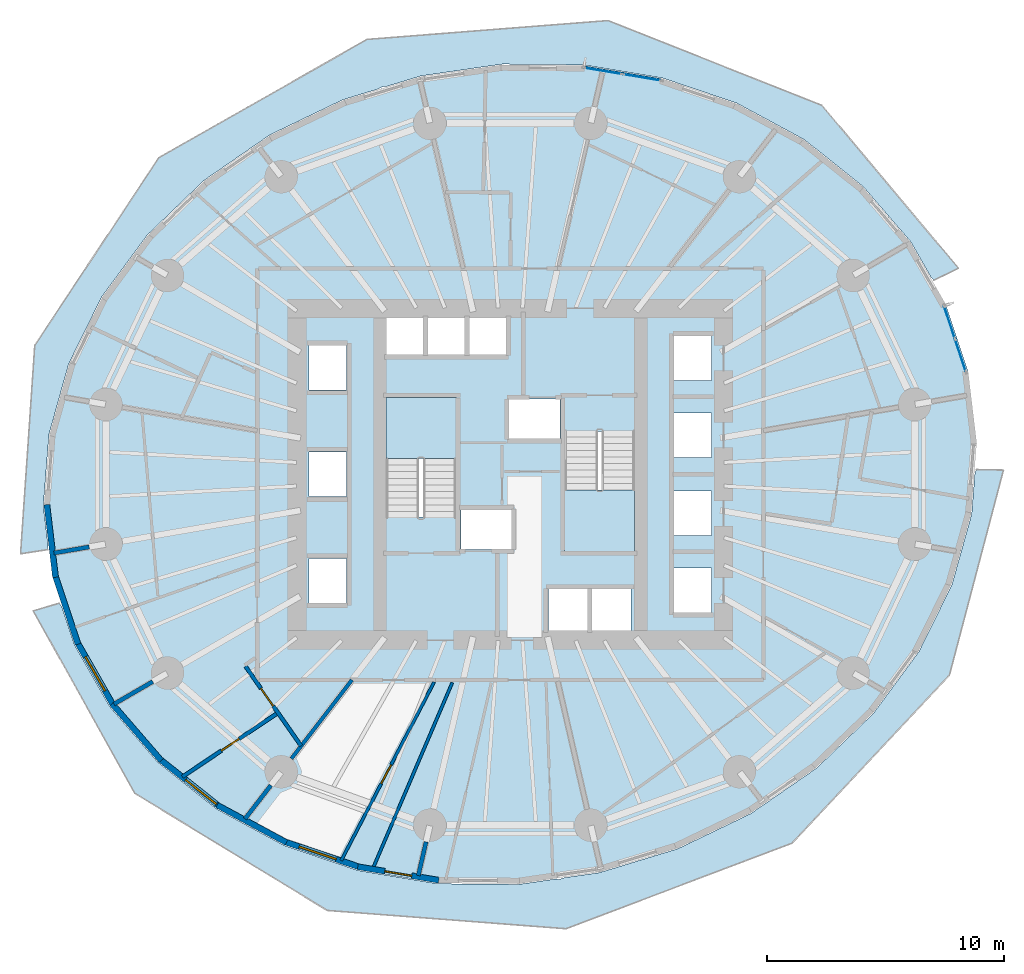
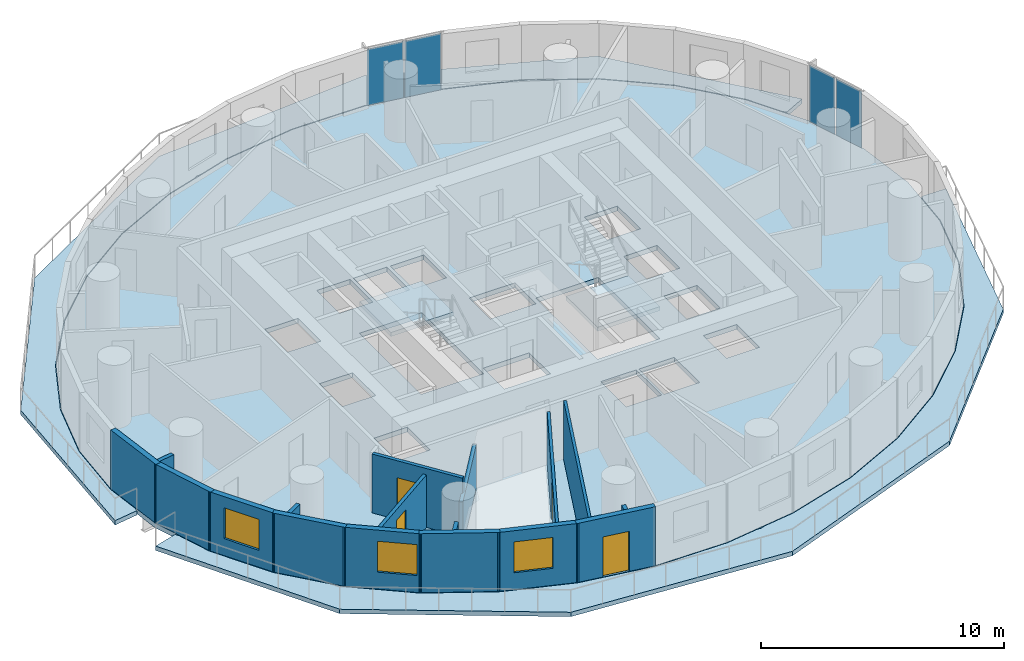
# One storey, part 4 of 13: 17 walls, 5 slabs, 4 doors, 4 plates, 3 windows, 7 openings, 4 elements without a shape of their own.
"""IFC4 building model written with IfcOpenShell, lengths in metres."""

import ifcopenshell
import ifcopenshell.guid

model = None  # the IFC model being written
_history = None  # IfcOwnerHistory: only IFC2X3 demands one
_inside = {}  # id of a spatial element -> (the spatial element, [elements in it])
_under = {}  # id of a project, library or spatial element -> (it, [spatial elements below it])
_declared = {}  # id of a project -> (the project, [libraries it declares])
_typed = {}  # id of a type object -> (the type object, [elements of that type])
_made_of = {}  # id of a material, layer set ... -> (it, [elements and type objects made of it])


def new_model(schema):
    """Start an empty IFC model of exactly this schema.

    Asked for "IFC4X3", IfcOpenShell would pick the latest addendum, in which some entities
    have other attributes; the version numbers below select the first issue.
    IFC2X3 requires an IfcOwnerHistory on every rooted entity: one is made here for all.
    """
    global model, _history
    if schema == "IFC4X3":
        model = ifcopenshell.file(schema_version=(4, 3, 0, 0))
    else:
        model = ifcopenshell.file(schema=schema)
    _inside.clear()
    _under.clear()
    _declared.clear()
    _typed.clear()
    _made_of.clear()
    _history = None
    if model.schema == "IFC2X3":
        org = make("IfcOrganization", Name="unknown")
        user = make(
            "IfcPersonAndOrganization",
            ThePerson=make("IfcPerson", FamilyName="unknown"),
            TheOrganization=org,
        )
        app = make(
            "IfcApplication",
            ApplicationDeveloper=org,
            Version="unknown",
            ApplicationFullName="unknown",
            ApplicationIdentifier="unknown",
        )
        _history = make(
            "IfcOwnerHistory",
            OwningUser=user,
            OwningApplication=app,
            ChangeAction="ADDED",
            CreationDate=0,
        )
    return model


def make(cls, **values):
    """One entity of the class cls with the attributes given. An attribute that is None is left unset."""
    return model.create_entity(
        cls, **{name: value for name, value in values.items() if value is not None}
    )


def rooted(cls, **values):
    """An entity with a GlobalId (a new one), such as an element, a storey or a relation."""
    return make(cls, GlobalId=ifcopenshell.guid.new(), OwnerHistory=_history, **values)


def si_unit(unit_type, name, prefix=None):
    """IfcSIUnit, for example si_unit("LENGTHUNIT", "METRE", prefix="MILLI")."""
    return make("IfcSIUnit", UnitType=unit_type, Prefix=prefix, Name=name)


def assignment(units):
    """IfcUnitAssignment: the units of a project."""
    return None if units is None else make("IfcUnitAssignment", Units=units)


def point(xyz):
    """IfcCartesianPoint."""
    return None if xyz is None else make("IfcCartesianPoint", Coordinates=xyz)


def direction(xyz):
    """IfcDirection."""
    return None if xyz is None else make("IfcDirection", DirectionRatios=xyz)


def frame(location, z_axis=None, x_axis=None):
    """IfcAxis2Placement3D, a coordinate frame: its origin and axes. An axis left out is left unset."""
    return make(
        "IfcAxis2Placement3D",
        Location=point(location),
        Axis=direction(z_axis),
        RefDirection=direction(x_axis),
    )


def frame_2d(location, x_axis=None):
    """IfcAxis2Placement2D, a coordinate frame in the plane: its origin and x axis."""
    return make(
        "IfcAxis2Placement2D", Location=point(location), RefDirection=direction(x_axis)
    )


def origin():
    """The frame at (0, 0, 0) with its axes left unset."""
    return frame((0.0, 0.0, 0.0))


def origin_2d():
    """The frame at (0, 0) in the plane with its x axis left unset."""
    return frame_2d((0.0, 0.0))


def place(relative_to, where):
    """IfcLocalPlacement: puts the frame where relative to a parent placement (None: the world)."""
    return make(
        "IfcLocalPlacement", PlacementRelTo=relative_to, RelativePlacement=where
    )


def context(
    kind, dimensions, precision=None, world=None, true_north=None, identifier=None
):
    """IfcGeometricRepresentationContext, for example the 3D "Model" context."""
    return make(
        "IfcGeometricRepresentationContext",
        ContextIdentifier=identifier,
        ContextType=kind,
        CoordinateSpaceDimension=dimensions,
        Precision=precision,
        WorldCoordinateSystem=world,
        TrueNorth=true_north,
    )


def subcontext(parent, identifier, kind, view, scale=None):
    """IfcGeometricRepresentationSubContext, for example "Body" below "Model"."""
    return make(
        "IfcGeometricRepresentationSubContext",
        ContextIdentifier=identifier,
        ContextType=kind,
        ParentContext=parent,
        TargetScale=scale,
        TargetView=view,
    )


def project(units=None, contexts=None):
    """IfcProject with its units and contexts."""
    return rooted(
        "IfcProject",
        Name="project",
        RepresentationContexts=contexts,
        UnitsInContext=assignment(units),
    )


def spatial(cls, under=None, at=None, **own):
    """A site, building, storey or space (cls), placed at a placement, below another one or the project."""
    s = rooted(cls, ObjectPlacement=at, **own)
    if under is not None:
        _under.setdefault(under.id(), (under, []))[1].append(s)
    return s


def polyline(points):
    """IfcPolyline through the points."""
    return make("IfcPolyline", Points=[point(p) for p in points])


def profile(cls, at=None, kind="AREA", **sizes):
    """A parametric profile (cls). Its sizes go by their IFC names, for example OverallWidth=200.0."""
    return make(cls, ProfileType=kind, Position=at, **sizes)


def rectangle(**sizes):
    """IfcRectangleProfileDef."""
    return profile("IfcRectangleProfileDef", **sizes)


def outline(outer, holes=None, kind="AREA"):
    """IfcArbitraryClosedProfileDef: a profile drawn as a closed curve; with holes, ...WithVoids."""
    if holes is None:
        return make("IfcArbitraryClosedProfileDef", ProfileType=kind, OuterCurve=outer)
    return make(
        "IfcArbitraryProfileDefWithVoids",
        ProfileType=kind,
        OuterCurve=outer,
        InnerCurves=holes,
    )


def extrude(swept, where, along, depth):
    """IfcExtrudedAreaSolid: the profile swept, set in the frame where, extruded along a direction by depth."""
    return make(
        "IfcExtrudedAreaSolid",
        SweptArea=swept,
        Position=where,
        ExtrudedDirection=direction(along),
        Depth=depth,
    )


def shape(context_of_items, identifier, shape_type, items):
    """IfcShapeRepresentation: the items that make up one representation, for example the "Body"."""
    return make(
        "IfcShapeRepresentation",
        ContextOfItems=context_of_items,
        RepresentationIdentifier=identifier,
        RepresentationType=shape_type,
        Items=items,
    )


def material(Name=None, Category=None):
    """IfcMaterial."""
    return make("IfcMaterial", Name=Name, Category=Category)


def layer(
    of_material, thickness, ventilated=None, Name=None, Category=None, Priority=None
):
    """IfcMaterialLayer: one layer of a wall or slab, of a material (None: an air gap)."""
    return make(
        "IfcMaterialLayer",
        Material=of_material,
        LayerThickness=thickness,
        IsVentilated=ventilated,
        Name=Name,
        Category=Category,
        Priority=Priority,
    )


def layer_set(layers, Name=None):
    """IfcMaterialLayerSet."""
    return make("IfcMaterialLayerSet", MaterialLayers=layers, LayerSetName=Name)


def made_of(thing, what):
    """Note that an element or type object is made of a material, layer set ...; save() writes the relation."""
    if what is not None:
        _made_of.setdefault(what.id(), (what, []))[1].append(thing)
    return thing


def type_object(cls, material=None, **own):
    """A type object (cls), such as IfcWallType, which elements share."""
    return made_of(rooted(cls, **own), material)


def element(
    cls,
    number,
    at=None,
    inside=None,
    cuts=None,
    type_object=None,
    material=None,
    context=None,
    identifier="Body",
    shape_type=None,
    held_by="IfcProductDefinitionShape",
    body=None,
    shapes=None,
    **own,
):
    """One element of the class cls, such as IfcWall. Its Tag is "e" and its number.

    at: its placement. inside: the storey or other place that contains it. cuts: it is an
    opening in that element (IfcRelVoidsElement). A single representation is given by context,
    identifier, shape_type and body (its items); several are given by shapes. held_by: the class
    of the entity that holds the representations. save() writes the other relations.
    """
    e = rooted(cls, Tag="e%d" % number, ObjectPlacement=at, **own)
    if body is not None:
        shapes = [shape(context, identifier, shape_type, body)]
    if shapes is not None:
        e.Representation = make(held_by, Representations=shapes)
    if inside is not None:
        _inside.setdefault(inside.id(), (inside, []))[1].append(e)
    if cuts is not None:
        rooted(
            "IfcRelVoidsElement", RelatingBuildingElement=cuts, RelatedOpeningElement=e
        )
    if type_object is not None:
        _typed.setdefault(type_object.id(), (type_object, []))[1].append(e)
    return made_of(e, material)


def fill(opening, filler):
    """IfcRelFillsElement: the door or window that sits in an opening."""
    return rooted(
        "IfcRelFillsElement",
        RelatingOpeningElement=opening,
        RelatedBuildingElement=filler,
    )


def aggregate(whole, parts):
    """IfcRelAggregates: a whole, such as a stair, and the parts it consists of."""
    return rooted("IfcRelAggregates", RelatingObject=whole, RelatedObjects=parts)


def save(model, path):
    """Write the relations noted so far, then the file.

    IfcRelAggregates (storeys below a building ...), IfcRelContainedInSpatialStructure (elements
    in a storey), IfcRelDefinesByType, IfcRelAssociatesMaterial and IfcRelDeclares: one each for
    every whole, place, type object, material and project.
    """
    for whole, parts in _under.values():
        aggregate(whole, parts)
    for where, things in _inside.values():
        rooted(
            "IfcRelContainedInSpatialStructure",
            RelatedElements=things,
            RelatingStructure=where,
        )
    for kind, things in _typed.values():
        rooted("IfcRelDefinesByType", RelatedObjects=things, RelatingType=kind)
    for what, things in _made_of.values():
        rooted("IfcRelAssociatesMaterial", RelatedObjects=things, RelatingMaterial=what)
    for by, libraries in _declared.values():
        rooted("IfcRelDeclares", RelatingContext=by, RelatedDefinitions=libraries)
    model.write(path)


model = new_model("IFC4")

# Units and contexts
model_context = context("Model", 3, precision=1e-05, world=origin(), true_north=direction((0.0, 1.0)))
body_context = subcontext(model_context, "Body", "Model", "MODEL_VIEW")
ifc_project = project(units=[si_unit("LENGTHUNIT", "METRE"), si_unit("AREAUNIT", "SQUARE_METRE"), si_unit("VOLUMEUNIT", "CUBIC_METRE"), si_unit("PLANEANGLEUNIT", "RADIAN"), si_unit("MASSUNIT", "GRAM", prefix="KILO")], contexts=[model_context])

# Site, building, storey
site_placement = place(None, origin())
site = spatial("IfcSite", under=ifc_project, at=site_placement, CompositionType="ELEMENT")
building_placement = place(site_placement, origin())
building = spatial("IfcBuilding", under=site, at=building_placement, Name="Veldorim Arch Residences", CompositionType="ELEMENT")
storey_placement = place(building_placement, frame((0.0, 0.0, 53.60009765625)))
storey = spatial("IfcBuildingStorey", under=building, at=storey_placement, Name="L15", CompositionType="ELEMENT", Elevation=53.60009765625)

# Slabs
ifc_material_1 = material(Name="Concrete C40/50", Category="concrete")
ifc_layer_1 = layer(ifc_material_1, 0.219970703125, Name="Planted Crescent Cantilever Balcony Slab 220")
ifc_layer_set_1 = layer_set([ifc_layer_1], Name="Concrete C40/50")
slab_type_1 = type_object("IfcSlabType", Name="Planted Crescent Cantilever Balcony Slab 220", PredefinedType="FLOOR", material=ifc_layer_set_1)
slab_1_placement = place(storey_placement, frame((0.0, 0.0, -0.22021484375)))
element("IfcSlab", 1, at=slab_1_placement, inside=storey, type_object=slab_type_1, Name="L15 planted crescent balcony slab A", PredefinedType="FLOOR", context=body_context, shape_type="SweptSolid", body=[
    extrude(outline(polyline([(49.7431640625, 32.329833984375), (48.89501953125, 33.814208984375), (46.875732421875, 36.151611328125), (44.404296875, 38.119384765625), (41.556396484375, 39.657958984375), (38.418212890625, 40.720703125), (35.085205078125, 41.275634765625), (31.65869140625, 41.305908203125), (28.242431640625, 40.810302734375), (26.789794921875, 40.36767578125), (26.593017578125, 40.349853515625), (26.42041015625, 40.2548828125), (24.9404296875, 39.80419921875), (21.852783203125, 38.31787109375), (19.072998046875, 36.396728515625), (16.686279296875, 34.098876953125), (14.764404296875, 31.494140625), (13.3662109375, 28.661376953125), (12.5341796875, 25.686767578125), (12.293701171875, 22.66064453125), (12.4921875, 21.0087890625), (12.46826171875, 20.820068359375), (11.33154296875, 20.645263671875), (11.930908203125, 29.437744140625), (17.17138671875, 37.364013671875), (25.95947265625, 42.35205078125), (36.12548828125, 43.146728515625), (45.149169921875, 39.56640625), (50.9052734375, 32.700927734375), (49.875, 32.190185546875), (49.7431640625, 32.329833984375)])), origin(), (0.0, 0.0, 1.0), 0.22021484375),
])
slab_2_placement = place(storey_placement, frame((0.0, 0.0, -0.22021484375)))
element("IfcSlab", 2, at=slab_2_placement, inside=storey, type_object=slab_type_1, Name="L15 planted crescent balcony slab B", PredefinedType="FLOOR", context=body_context, shape_type="SweptSolid", body=[
    extrude(outline(polyline([(13.0751953125, 18.400390625), (13.59912109375, 16.8212890625), (15.10498046875, 14.185791015625), (17.124267578125, 11.848388671875), (19.595703125, 9.880615234375), (22.443603515625, 8.342041015625), (25.581787109375, 7.279296875), (28.914794921875, 6.724365234375), (32.34130859375, 6.694091796875), (33.872314453125, 6.916259765625), (34.06884765625, 6.90380859375), (34.254638671875, 6.9716796875), (35.757568359375, 7.189697265625), (39.0595703125, 8.19580078125), (42.147216796875, 9.68212890625), (44.927001953125, 11.603271484375), (47.313720703125, 13.901123046875), (49.235595703125, 16.505859375), (50.6337890625, 19.338623046875), (51.4658203125, 22.313232421875), (51.601318359375, 24.017578125), (51.660888671875, 24.199951171875), (52.810791015625, 24.176513671875), (50.525390625, 15.513671875), (43.88525390625, 8.43212890625), (34.348388671875, 4.822509765625), (24.272705078125, 5.59423828125), (16.15625, 10.53466796875), (11.8701171875, 18.2353515625), (12.97314453125, 18.56103515625), (13.0751953125, 18.400390625)])), origin(), (0.0, 0.0, 1.0), 0.22021484375),
])

# Stair, slab
ifc_material_2 = material(Name="Concrete C40/50", Category="concrete")
stair_type = type_object("IfcStairType", Name="Reinforced Concrete Dogleg Exit Staircase", PredefinedType="HALF_TURN_STAIR", material=ifc_material_2)
stair_1_placement = place(storey_placement, origin())
stair_1 = element("IfcStair", 3, at=stair_1_placement, inside=storey, type_object=stair_type, Name="L15 Exit Staircase ST-1", PredefinedType="HALF_TURN_STAIR")
ifc_material_3 = material(Name="Concrete C40/50", Category="concrete")
ifc_layer_2 = layer(ifc_material_3, 0.199951171875, Name="Reinforced Concrete Stair Landing 200")
ifc_layer_set_2 = layer_set([ifc_layer_2], Name="Concrete C40/50")
slab_type_2 = type_object("IfcSlabType", Name="Reinforced Concrete Stair Landing 200", PredefinedType="LANDING", material=ifc_layer_set_2)
slab_3_placement = place(storey_placement, frame((0.0, 0.0, 1.39990234375)))
slab_3 = element("IfcSlab", 4, at=slab_3_placement, type_object=slab_type_2, Name="ST-1 landing 1", PredefinedType="LANDING", context=body_context, shape_type="SweptSolid", body=[
    extrude(outline(polyline([(29.7099609375, 24.669921875), (29.7099609375, 27.25), (26.75, 27.25), (26.75, 24.669921875), (29.7099609375, 24.669921875)])), origin(), (0.0, 0.0, 1.0), 0.199951171875),
])
aggregate(stair_1, [slab_3])

stair_2_placement = place(storey_placement, origin())
stair_2 = element("IfcStair", 5, at=stair_2_placement, inside=storey, type_object=stair_type, Name="L15 Exit Staircase ST-2", PredefinedType="HALF_TURN_STAIR")
slab_4_placement = place(storey_placement, frame((0.0, 0.0, 1.39990234375)))
slab_4 = element("IfcSlab", 6, at=slab_4_placement, type_object=slab_type_2, Name="ST-2 landing 1", PredefinedType="LANDING", context=body_context, shape_type="SweptSolid", body=[
    extrude(outline(polyline([(34.2900390625, 23.330078125), (34.2900390625, 20.75), (37.25, 20.75), (37.25, 23.330078125), (34.2900390625, 23.330078125)])), origin(), (0.0, 0.0, 1.0), 0.199951171875),
])
aggregate(stair_2, [slab_4])

# Slab
ifc_material_4 = material(Name="Concrete C40/50", Category="concrete")
ifc_layer_3 = layer(ifc_material_4, 0.239990234375, Name="Typical Residential Floor Slab 240")
ifc_layer_set_3 = layer_set([ifc_layer_3], Name="Concrete C40/50")
slab_type_3 = type_object("IfcSlabType", Name="Typical Residential Floor Slab 240", PredefinedType="FLOOR", material=ifc_layer_set_3)
slab_5_placement = place(storey_placement, frame((0.0, 0.0, -0.239990234375)))
element("IfcSlab", 7, at=slab_5_placement, inside=storey, type_object=slab_type_3, Name="L15 tower structural floor slab", PredefinedType="FLOOR", context=body_context, shape_type="SweptSolid", body=[
    extrude(outline(polyline([(51.3232421875, 28.319091796875), (50.378173828125, 31.16845703125), (48.87451171875, 33.7998046875), (46.8583984375, 36.133544921875), (44.390625, 38.098388671875), (41.54638671875, 39.635009765625), (38.412109375, 40.696533203125), (35.0830078125, 41.250732421875), (31.660400390625, 41.28076171875), (28.247802734375, 40.785888671875), (24.949462890625, 39.78076171875), (21.865234375, 38.296142578125), (19.089111328125, 36.377197265625), (16.705078125, 34.082275390625), (14.785888671875, 31.48095703125), (13.3896484375, 28.65234375), (12.558837890625, 25.682373046875), (12.31884765625, 22.6611328125), (12.6767578125, 19.680908203125), (13.621826171875, 16.83154296875), (15.12548828125, 14.2001953125), (17.1416015625, 11.866455078125), (19.609375, 9.901611328125), (22.45361328125, 8.364990234375), (25.587890625, 7.303466796875), (28.9169921875, 6.749267578125), (32.339599609375, 6.71923828125), (35.752197265625, 7.214111328125), (39.050537109375, 8.21923828125), (42.134765625, 9.703857421875), (44.910888671875, 11.622802734375), (47.294921875, 13.917724609375), (49.214111328125, 16.51904296875), (50.6103515625, 19.34765625), (51.441162109375, 22.317626953125), (51.68115234375, 25.3388671875), (51.3232421875, 28.319091796875)]), holes=[polyline([(23.510009765625, 20.43994140625), (25.090087890625, 20.43994140625), (25.090087890625, 18.56005859375), (23.510009765625, 18.56005859375), (23.510009765625, 20.43994140625)]), polyline([(29.909912109375, 22.544921875), (32.090087890625, 22.544921875), (32.090087890625, 20.81494140625), (29.909912109375, 20.81494140625), (29.909912109375, 22.544921875)]), polyline([(23.510009765625, 24.93994140625), (25.090087890625, 24.93994140625), (25.090087890625, 23.06005859375), (23.510009765625, 23.06005859375), (23.510009765625, 24.93994140625)]), polyline([(26.75, 27.25), (29.7099609375, 27.25), (29.7099609375, 22.195068359375), (26.75, 22.195068359375), (26.75, 27.25)]), polyline([(23.510009765625, 29.43994140625), (25.090087890625, 29.43994140625), (25.090087890625, 27.56005859375), (23.510009765625, 27.56005859375), (23.510009765625, 29.43994140625)]), polyline([(26.760009765625, 30.7900390625), (28.340087890625, 30.7900390625), (28.340087890625, 28.909912109375), (26.760009765625, 28.909912109375), (26.760009765625, 30.7900390625)]), polyline([(28.510009765625, 30.7900390625), (30.090087890625, 30.7900390625), (30.090087890625, 28.909912109375), (28.510009765625, 28.909912109375), (28.510009765625, 30.7900390625)]), polyline([(30.260009765625, 30.7900390625), (31.840087890625, 30.7900390625), (31.840087890625, 28.909912109375), (30.260009765625, 28.909912109375), (30.260009765625, 30.7900390625)]), polyline([(33.610107421875, 19.2900390625), (35.2900390625, 19.2900390625), (35.2900390625, 17.2099609375), (33.610107421875, 17.2099609375), (33.610107421875, 19.2900390625)]), polyline([(35.409912109375, 19.2900390625), (37.090087890625, 19.2900390625), (37.090087890625, 17.2099609375), (35.409912109375, 17.2099609375), (35.409912109375, 19.2900390625)]), polyline([(38.909912109375, 20.0400390625), (40.489990234375, 20.0400390625), (40.489990234375, 18.159912109375), (38.909912109375, 18.159912109375), (38.909912109375, 20.0400390625)]), polyline([(38.909912109375, 23.2900390625), (40.489990234375, 23.2900390625), (40.489990234375, 21.409912109375), (38.909912109375, 21.409912109375), (38.909912109375, 23.2900390625)]), polyline([(34.2900390625, 25.804931640625), (37.25, 25.804931640625), (37.25, 20.75), (34.2900390625, 20.75), (34.2900390625, 25.804931640625)]), polyline([(38.909912109375, 26.590087890625), (40.489990234375, 26.590087890625), (40.489990234375, 24.7099609375), (38.909912109375, 24.7099609375), (38.909912109375, 26.590087890625)]), polyline([(31.909912109375, 27.18505859375), (34.090087890625, 27.18505859375), (34.090087890625, 25.455078125), (31.909912109375, 25.455078125), (31.909912109375, 27.18505859375)]), polyline([(38.909912109375, 29.840087890625), (40.489990234375, 29.840087890625), (40.489990234375, 27.9599609375), (38.909912109375, 27.9599609375), (38.909912109375, 29.840087890625)])]), origin(), (0.0, 0.0, 1.0), 0.239990234375),
])

# Curtain wall, plates
ifc_material_5 = material(Name="Aluminium", Category="aluminium")
curtain_wall_type = type_object("IfcCurtainWallType", Name="Zone 1 Acoustic Low-E Unitised Curtain Wall", PredefinedType="NOTDEFINED", material=ifc_material_5)
curtain_wall_1_placement = place(storey_placement, origin())
curtain_wall_1 = element("IfcCurtainWall", 8, at=curtain_wall_1_placement, inside=storey, type_object=curtain_wall_type, Name="L15 unitised curtain wall bay 01", PredefinedType="NOTDEFINED")
ifc_material_6 = material(Name="Laminated Low-E Glass", Category="glass")
ifc_layer_4 = layer(ifc_material_6, 0.02587890625, Name="Zone 1 Acoustic Low-E Unitised Curtain Wall Glazing Panel 26")
ifc_layer_set_4 = layer_set([ifc_layer_4], Name="Laminated Low-E Glass")
plate_type = type_object("IfcPlateType", Name="Zone 1 Acoustic Low-E Unitised Curtain Wall Glazing Panel 26", PredefinedType="CURTAIN_PANEL", material=ifc_layer_set_4)
plate_1_placement = place(storey_placement, frame((50.5341796875, 30.412353515625, 0.06494140625), z_axis=(0.0, 0.0, 1.0), x_axis=(0.314838287583, -0.949145327477, 0.0)))
plate_1 = element("IfcPlate", 9, at=plate_1_placement, type_object=plate_type, Name="CW-Z1 panel 1.1", PredefinedType="CURTAIN_PANEL", context=body_context, shape_type="SweptSolid", body=[
    extrude(rectangle(XDim=1.4033203125, YDim=0.02587890625, at=origin_2d()), origin(), (0.0, 0.0, 1.0), 2.830078125),
])
plate_2_placement = place(storey_placement, frame((50.996337890625, 29.0185546875, 0.06494140625), z_axis=(0.0, 0.0, 1.0), x_axis=(0.314838287583, -0.949145327477, 0.0)))
plate_2 = element("IfcPlate", 10, at=plate_2_placement, type_object=plate_type, Name="CW-Z1 panel 2.1", PredefinedType="CURTAIN_PANEL", context=body_context, shape_type="SweptSolid", body=[
    extrude(rectangle(XDim=1.4033203125, YDim=0.02587890625, at=origin_2d()), origin(), (0.0, 0.0, 1.0), 2.830078125),
])
aggregate(curtain_wall_1, [plate_1, plate_2])

curtain_wall_2_placement = place(storey_placement, origin())
curtain_wall_2 = element("IfcCurtainWall", 11, at=curtain_wall_2_placement, inside=storey, type_object=curtain_wall_type, Name="L15 unitised curtain wall bay 07", PredefinedType="NOTDEFINED")
plate_3_placement = place(storey_placement, frame((35.91650390625, 41.020751953125, 0.06494140625), z_axis=(0.0, 0.0, 1.0), x_axis=(0.98642513806, -0.164211592169, 0.0)))
plate_3 = element("IfcPlate", 12, at=plate_3_placement, type_object=plate_type, Name="CW-Z1 panel 1.1", PredefinedType="CURTAIN_PANEL", context=body_context, shape_type="SweptSolid", body=[
    extrude(rectangle(XDim=1.58984375, YDim=0.02587890625, at=origin_2d()), origin(), (0.0, 0.0, 1.0), 2.830078125),
])
plate_4_placement = place(storey_placement, frame((37.549072265625, 40.7490234375, 0.06494140625), z_axis=(0.0, 0.0, 1.0), x_axis=(0.98642513806, -0.164211592169, 0.0)))
plate_4 = element("IfcPlate", 13, at=plate_4_placement, type_object=plate_type, Name="CW-Z1 panel 2.1", PredefinedType="CURTAIN_PANEL", context=body_context, shape_type="SweptSolid", body=[
    extrude(rectangle(XDim=1.58984375, YDim=0.02587890625, at=origin_2d()), origin(), (0.0, 0.0, 1.0), 2.830078125),
])
aggregate(curtain_wall_2, [plate_3, plate_4])

# Wall, opening, door
ifc_material_7 = material(Name="Acoustic Gypsum Board", Category="gypsum")
ifc_layer_5 = layer(ifc_material_7, 0.125, Name="Acoustic Stud Room Partition Wall 125")
ifc_layer_set_5 = layer_set([ifc_layer_5], Name="Acoustic Gypsum Board")
wall_type_1 = type_object("IfcWallType", Name="Acoustic Stud Room Partition Wall 125", PredefinedType="PARTITIONING", material=ifc_layer_set_5)
wall_1_placement = place(storey_placement, frame((28.7861328125, 15.231201171875, 0.0), z_axis=(0.0, 0.0, 1.0), x_axis=(-0.461913695099, -0.886924877473, 0.0)))
wall_1 = element("IfcWall", 14, at=wall_1_placement, inside=storey, type_object=wall_type_1, Name="L15 interior wall WL-RES-L15-012", PredefinedType="PARTITIONING", context=body_context, shape_type="SweptSolid", body=[
    extrude(rectangle(XDim=8.49462890625, YDim=0.125, at=frame_2d((4.247314453125, 0.0))), origin(), (0.0, 0.0, 1.0), 2.641357421875),
])
opening_1_placement = place(wall_1_placement, frame((3.9375, 0.0, 0.0)))
opening_1 = element("IfcOpeningElement", 15, at=opening_1_placement, cuts=wall_1, Name="Opening DR-INT", PredefinedType="OPENING", context=body_context, shape_type="SweptSolid", body=[
    extrude(rectangle(XDim=0.89990234375, YDim=2.10009765625, at=frame_2d((0.449951171875, 1.050048828125))), frame((0.0, 0.072509765625, 0.0), z_axis=(0.0, -1.0, 0.0), x_axis=(1.0, 0.0, 0.0)), (0.0, 0.0, 1.0), 0.14501953125),
])
ifc_material_8 = material(Name="Engineered Timber", Category="wood")
door_type_1 = type_object("IfcDoorType", Name="Apartment Internal Room Timber Door 900x2100", OperationType="SINGLE_SWING_LEFT", PredefinedType="DOOR", material=ifc_material_8)
door_1_placement = place(opening_1_placement, origin())
door_1 = element("IfcDoor", 16, at=door_1_placement, inside=storey, type_object=door_type_1, Name="L15 interior door DR-RES-L15-005", OperationType="SINGLE_SWING_LEFT", OverallHeight=2.10009765625, OverallWidth=0.89990234375, PredefinedType="DOOR", context=body_context, shape_type="SweptSolid", body=[
    extrude(rectangle(XDim=0.89990234375, YDim=2.10009765625, at=frame_2d((0.449951171875, 1.050048828125))), frame((0.0, 0.02490234375, 0.0), z_axis=(0.0, -1.0, 0.0), x_axis=(1.0, 0.0, 0.0)), (0.0, 0.0, 1.0), 0.050048828125),
])
fill(opening_1, door_1)

# Walls
wall_2_placement = place(storey_placement, frame((26.19287109375, 7.3447265625, 0.0), z_axis=(0.0, 0.0, 1.0), x_axis=(0.392702721524, 0.919665467715, 0.0)))
element("IfcWall", 17, at=wall_2_placement, inside=storey, type_object=wall_type_1, Name="L15 interior wall WL-RES-L15-015", PredefinedType="PARTITIONING", context=body_context, shape_type="SweptSolid", body=[
    extrude(rectangle(XDim=8.552001953125, YDim=0.125, at=frame_2d((4.27587890625, 0.0))), origin(), (0.0, 0.0, 1.0), 2.954833984375),
])
ifc_material_9 = material(Name="Lightweight Masonry Block & Gypsum", Category="masonry")
ifc_layer_6 = layer(ifc_material_9, 0.179931640625, Name="Compartment & Corridor Fire-Rated Party Wall 180")
ifc_layer_set_6 = layer_set([ifc_layer_6], Name="Lightweight Masonry Block & Gypsum")
wall_type_2 = type_object("IfcWallType", Name="Compartment & Corridor Fire-Rated Party Wall 180", PredefinedType="PARTITIONING", material=ifc_layer_set_6)
wall_3_placement = place(storey_placement, frame((14.224853515625, 20.931640625, 0.0), z_axis=(0.0, 0.0, 1.0), x_axis=(-0.985418960314, -0.170145445587, 0.0)))
element("IfcWall", 18, at=wall_3_placement, inside=storey, type_object=wall_type_2, Name="L15 interior wall WL-PIER-L15-09", PredefinedType="PARTITIONING", context=body_context, shape_type="SweptSolid", body=[
    extrude(rectangle(XDim=1.508056640625, YDim=0.179931640625, at=frame_2d((0.75390625, 0.0))), origin(), (0.0, 0.0, 1.0), 2.17822265625),
])
wall_4_placement = place(storey_placement, frame((16.909423828125, 15.249755859375, 0.0), z_axis=(0.0, 0.0, 1.0), x_axis=(-0.865027823723, -0.501723892379, 0.0)))
element("IfcWall", 19, at=wall_4_placement, inside=storey, type_object=wall_type_2, Name="L15 interior wall WL-PIER-L15-10", PredefinedType="PARTITIONING", context=body_context, shape_type="SweptSolid", body=[
    extrude(rectangle(XDim=1.888916015625, YDim=0.179931640625, at=frame_2d((0.9443359375, 0.0))), origin(), (0.0, 0.0, 1.0), 2.17822265625),
])
wall_5_placement = place(storey_placement, frame((21.893798828125, 10.874267578125, 0.0), z_axis=(0.0, 0.0, 1.0), x_axis=(-0.61002145357, -0.792384897752, 0.0)))
element("IfcWall", 20, at=wall_5_placement, inside=storey, type_object=wall_type_2, Name="L15 interior wall WL-PIER-L15-11", PredefinedType="PARTITIONING", context=body_context, shape_type="SweptSolid", body=[
    extrude(rectangle(XDim=1.78466796875, YDim=0.179931640625, at=frame_2d((0.892333984375, 0.0))), origin(), (0.0, 0.0, 1.0), 2.17822265625),
])
wall_6_placement = place(storey_placement, frame((28.444580078125, 8.48828125, 0.0), z_axis=(0.0, 0.0, 1.0), x_axis=(-0.223491959946, -0.974705772959, 0.0)))
element("IfcWall", 21, at=wall_6_placement, inside=storey, type_object=wall_type_2, Name="L15 interior wall WL-PIER-L15-12", PredefinedType="PARTITIONING", context=body_context, shape_type="SweptSolid", body=[
    extrude(rectangle(XDim=1.46044921875, YDim=0.179931640625, at=frame_2d((0.730224609375, 0.0))), origin(), (0.0, 0.0, 1.0), 2.17822265625),
])
ifc_material_10 = material(Name="Precast concrete C40/50", Category="concrete")
ifc_layer_7 = layer(ifc_material_10, 0.25, Name="Tower Terracotta Spandrel & Pier Wall 250")
ifc_layer_set_7 = layer_set([ifc_layer_7], Name="Precast concrete C40/50")
wall_type_3 = type_object("IfcWallType", Name="Tower Terracotta Spandrel & Pier Wall 250", PredefinedType="SOLIDWALL", material=ifc_layer_set_7)
wall_7_placement = place(storey_placement, frame((12.806396484375, 19.65087890625, 0.0), z_axis=(0.0, 0.0, 1.0), x_axis=(-0.119310240224, 0.992857022223, 0.0)))
element("IfcWall", 22, at=wall_7_placement, inside=storey, type_object=wall_type_3, Name="L15 terracotta facade wall 18", PredefinedType="SOLIDWALL", context=body_context, shape_type="SweptSolid", body=[
    extrude(rectangle(XDim=3.091796875, YDim=0.25, at=frame_2d((1.5458984375, 0.0))), origin(), (0.0, 0.0, 1.0), 2.9599609375),
])
wall_8_placement = place(storey_placement, frame((13.754638671875, 16.828125, 0.0), z_axis=(0.0, 0.0, 1.0), x_axis=(-0.314806164357, 0.949155982377, 0.0)))
element("IfcWall", 23, at=wall_8_placement, inside=storey, type_object=wall_type_3, Name="L15 terracotta facade wall 19", PredefinedType="SOLIDWALL", context=body_context, shape_type="SweptSolid", body=[
    extrude(rectangle(XDim=3.092041015625, YDim=0.25, at=frame_2d((1.5458984375, 0.0))), origin(), (0.0, 0.0, 1.0), 2.9599609375),
])

# Wall, opening, window
wall_9_placement = place(storey_placement, frame((15.25634765625, 14.22314453125, 0.0), z_axis=(0.0, 0.0, 1.0), x_axis=(-0.496155788519, 0.868233513243, 0.0)))
wall_9 = element("IfcWall", 24, at=wall_9_placement, inside=storey, type_object=wall_type_3, Name="L15 terracotta facade wall 20", PredefinedType="SOLIDWALL", context=body_context, shape_type="SweptSolid", body=[
    extrude(rectangle(XDim=3.12060546875, YDim=0.25, at=frame_2d((1.560302734375, 0.0))), origin(), (0.0, 0.0, 1.0), 2.9599609375),
])
opening_2_placement = place(wall_9_placement, frame((0.735107421875, 0.0, 0.85009765625)))
opening_2 = element("IfcOpeningElement", 25, at=opening_2_placement, cuts=wall_9, Name="Opening WN-03", PredefinedType="OPENING", context=body_context, shape_type="SweptSolid", body=[
    extrude(rectangle(XDim=1.64990234375, YDim=1.550048828125, at=frame_2d((0.824951171875, 0.77490234375))), frame((0.0, 0.135009765625, 0.0), z_axis=(0.0, -1.0, 0.0), x_axis=(1.0, 0.0, 0.0)), (0.0, 0.0, 1.0), 0.27001953125),
])
ifc_material_11 = material(Name="Laminated Low-E Glass", Category="glass")
window_type = type_object("IfcWindowType", Name="Residential Wide Window 1650x1550", PartitioningType="SINGLE_PANEL", PredefinedType="WINDOW", material=ifc_material_11)
window_1_placement = place(opening_2_placement, origin())
window_1 = element("IfcWindow", 26, at=window_1_placement, inside=storey, type_object=window_type, Name="L15 solar-control facade window 20", OverallHeight=1.550048828125, OverallWidth=1.64990234375, PartitioningType="SINGLE_PANEL", PredefinedType="WINDOW", context=body_context, shape_type="SweptSolid", body=[
    extrude(rectangle(XDim=1.64990234375, YDim=1.550048828125, at=frame_2d((0.824951171875, 0.77490234375))), frame((0.0, 0.030029296875, 0.0), z_axis=(0.0, -1.0, 0.0), x_axis=(1.0, 0.0, 0.0)), (0.0, 0.0, 1.0), 0.06005859375),
])
fill(opening_2, window_1)

# Wall
wall_10_placement = place(storey_placement, frame((17.265625, 11.914306640625, 0.0), z_axis=(0.0, 0.0, 1.0), x_axis=(-0.653770062489, 0.75669327035, 0.0)))
element("IfcWall", 27, at=wall_10_placement, inside=storey, type_object=wall_type_3, Name="L15 terracotta facade wall 21", PredefinedType="SOLIDWALL", context=body_context, shape_type="SweptSolid", body=[
    extrude(rectangle(XDim=3.173828125, YDim=0.25, at=frame_2d((1.5869140625, 0.0))), origin(), (0.0, 0.0, 1.0), 2.9599609375),
])

# Wall, opening, window
wall_11_placement = place(storey_placement, frame((19.722412109375, 9.971435546875, 0.0), z_axis=(0.0, 0.0, 1.0), x_axis=(-0.78232767864, 0.622867083119, 0.0)))
wall_11 = element("IfcWall", 28, at=wall_11_placement, inside=storey, type_object=wall_type_3, Name="L15 terracotta facade wall 22", PredefinedType="SOLIDWALL", context=body_context, shape_type="SweptSolid", body=[
    extrude(rectangle(XDim=3.244384765625, YDim=0.25, at=frame_2d((1.6220703125, 0.0))), origin(), (0.0, 0.0, 1.0), 2.9599609375),
])
opening_3_placement = place(wall_11_placement, frame((0.175048828125, 0.0, 0.85009765625)))
opening_3 = element("IfcOpeningElement", 29, at=opening_3_placement, cuts=wall_11, Name="Opening WN-03", PredefinedType="OPENING", context=body_context, shape_type="SweptSolid", body=[
    extrude(rectangle(XDim=1.64990234375, YDim=1.550048828125, at=frame_2d((0.824951171875, 0.77490234375))), frame((0.0, 0.135009765625, 0.0), z_axis=(0.0, -1.0, 0.0), x_axis=(1.0, 0.0, 0.0)), (0.0, 0.0, 1.0), 0.27001953125),
])
window_2_placement = place(opening_3_placement, origin())
window_2 = element("IfcWindow", 30, at=window_2_placement, inside=storey, type_object=window_type, Name="L15 solar-control facade window 22", OverallHeight=1.550048828125, OverallWidth=1.64990234375, PartitioningType="SINGLE_PANEL", PredefinedType="WINDOW", context=body_context, shape_type="SweptSolid", body=[
    extrude(rectangle(XDim=1.64990234375, YDim=1.550048828125, at=frame_2d((0.824951171875, 0.77490234375))), frame((0.0, 0.030029296875, 0.0), z_axis=(0.0, -1.0, 0.0), x_axis=(1.0, 0.0, 0.0)), (0.0, 0.0, 1.0), 0.06005859375),
])
fill(opening_3, window_2)

# Wall
wall_12_placement = place(storey_placement, frame((22.552490234375, 8.45361328125, 0.0), z_axis=(0.0, 0.0, 1.0), x_axis=(-0.879811992908, 0.475321845843, 0.0)))
element("IfcWall", 31, at=wall_12_placement, inside=storey, type_object=wall_type_3, Name="L15 terracotta facade wall 23", PredefinedType="SOLIDWALL", context=body_context, shape_type="SweptSolid", body=[
    extrude(rectangle(XDim=3.32275390625, YDim=0.25, at=frame_2d((1.661376953125, 0.0))), origin(), (0.0, 0.0, 1.0), 2.9599609375),
])

# Wall, opening, window
wall_13_placement = place(storey_placement, frame((25.67041015625, 7.407470703125, 0.0), z_axis=(0.0, 0.0, 1.0), x_axis=(-0.947149503871, 0.320792483262, 0.0)))
wall_13 = element("IfcWall", 32, at=wall_13_placement, inside=storey, type_object=wall_type_3, Name="L15 terracotta facade wall 24", PredefinedType="SOLIDWALL", context=body_context, shape_type="SweptSolid", body=[
    extrude(rectangle(XDim=3.39892578125, YDim=0.25, at=frame_2d((1.699462890625, 0.0))), origin(), (0.0, 0.0, 1.0), 2.9599609375),
])
opening_4_placement = place(wall_13_placement, frame((1.073974609375, 0.0, 0.85009765625)))
opening_4 = element("IfcOpeningElement", 33, at=opening_4_placement, cuts=wall_13, Name="Opening WN-03", PredefinedType="OPENING", context=body_context, shape_type="SweptSolid", body=[
    extrude(rectangle(XDim=1.64990234375, YDim=1.550048828125, at=frame_2d((0.824951171875, 0.77490234375))), frame((0.0, 0.135009765625, 0.0), z_axis=(0.0, -1.0, 0.0), x_axis=(1.0, 0.0, 0.0)), (0.0, 0.0, 1.0), 0.27001953125),
])
window_3_placement = place(opening_4_placement, origin())
window_3 = element("IfcWindow", 34, at=window_3_placement, inside=storey, type_object=window_type, Name="L15 solar-control facade window 24", OverallHeight=1.550048828125, OverallWidth=1.64990234375, PartitioningType="SINGLE_PANEL", PredefinedType="WINDOW", context=body_context, shape_type="SweptSolid", body=[
    extrude(rectangle(XDim=1.64990234375, YDim=1.550048828125, at=frame_2d((0.824951171875, 0.77490234375))), frame((0.0, 0.030029296875, 0.0), z_axis=(0.0, -1.0, 0.0), x_axis=(1.0, 0.0, 0.0)), (0.0, 0.0, 1.0), 0.06005859375),
])
fill(opening_4, window_3)

# Wall, opening, door
wall_14_placement = place(storey_placement, frame((28.981689453125, 6.865234375, 0.0), z_axis=(0.0, 0.0, 1.0), x_axis=(-0.986430084323, 0.164181877025, 0.0)))
wall_14 = element("IfcWall", 35, at=wall_14_placement, inside=storey, type_object=wall_type_3, Name="L15 terracotta facade wall 25", PredefinedType="SOLIDWALL", context=body_context, shape_type="SweptSolid", body=[
    extrude(rectangle(XDim=3.46484375, YDim=0.25, at=frame_2d((1.732421875, 0.0))), origin(), (0.0, 0.0, 1.0), 2.9599609375),
])
opening_5_placement = place(wall_14_placement, frame((1.156982421875, 0.0, 0.0)))
opening_5 = element("IfcOpeningElement", 36, at=opening_5_placement, cuts=wall_14, Name="Opening BL-DR2", PredefinedType="OPENING", context=body_context, shape_type="SweptSolid", body=[
    extrude(rectangle(XDim=1.14990234375, YDim=2.010009765625, at=frame_2d((0.574951171875, 1.0048828125))), frame((0.0, 0.135009765625, 0.0), z_axis=(0.0, -1.0, 0.0), x_axis=(1.0, 0.0, 0.0)), (0.0, 0.0, 1.0), 0.27001953125),
])
ifc_material_12 = material(Name="Aluminium & Low-E Glass", Category="aluminium")
door_type_2 = type_object("IfcDoorType", Name="Glazed Planted Balcony Low-Soffit Door 1150x2010", OperationType="SINGLE_SWING_LEFT", PredefinedType="DOOR", material=ifc_material_12)
door_2_placement = place(opening_5_placement, origin())
door_2 = element("IfcDoor", 37, at=door_2_placement, inside=storey, type_object=door_type_2, Name="L15 glazed outdoor terrace door BALC-2", OperationType="SINGLE_SWING_LEFT", OverallHeight=2.010009765625, OverallWidth=1.14990234375, PredefinedType="DOOR", context=body_context, shape_type="SweptSolid", body=[
    extrude(rectangle(XDim=1.14990234375, YDim=2.010009765625, at=frame_2d((0.574951171875, 1.0048828125))), frame((0.0, 0.02490234375, 0.0), z_axis=(0.0, -1.0, 0.0), x_axis=(1.0, 0.0, 0.0)), (0.0, 0.0, 1.0), 0.050048828125),
])
fill(opening_5, door_2)

# Wall
ifc_material_13 = material(Name="Moisture-Resistant Gypsum & Stud", Category="gypsum")
ifc_layer_8 = layer(ifc_material_13, 0.159912109375, Name="Wet-Area Moisture-Resistant Plumbing Wall 160")
ifc_layer_set_8 = layer_set([ifc_layer_8], Name="Moisture-Resistant Gypsum & Stud")
wall_type_4 = type_object("IfcWallType", Name="Wet-Area Moisture-Resistant Plumbing Wall 160", PredefinedType="PLUMBINGWALL", material=ifc_layer_set_8)
wall_15_placement = place(storey_placement, frame((22.75927734375, 11.998291015625, 0.0), z_axis=(0.0, 0.0, 1.0), x_axis=(0.60996965366, 0.792424773473, 0.0)))
element("IfcWall", 38, at=wall_15_placement, inside=storey, type_object=wall_type_4, Name="L15 interior wall WL-RES-L15-013", PredefinedType="PLUMBINGWALL", context=body_context, shape_type="SweptSolid", body=[
    extrude(rectangle(XDim=4.192138671875, YDim=0.159912109375, at=frame_2d((2.09619140625, 0.0))), origin(), (0.0, 0.0, 1.0), 2.17822265625),
])

# Wall, opening, door
wall_16_placement = place(storey_placement, frame((22.1953125, 13.932861328125, 0.0), z_axis=(0.0, 0.0, 1.0), x_axis=(-0.831027380647, -0.556231509908, 0.0)))
wall_16 = element("IfcWall", 39, at=wall_16_placement, inside=storey, type_object=wall_type_4, Name="L15 interior wall WL-RES-L15-039", PredefinedType="PLUMBINGWALL", context=body_context, shape_type="SweptSolid", body=[
    extrude(rectangle(XDim=4.853515625, YDim=0.159912109375, at=frame_2d((2.4267578125, 0.0))), origin(), (0.0, 0.0, 1.0), 2.641357421875),
])
opening_6_placement = place(wall_16_placement, frame((1.976806640625, 0.0, 0.0)))
opening_6 = element("IfcOpeningElement", 40, at=opening_6_placement, cuts=wall_16, Name="Opening DR-WC", PredefinedType="OPENING", context=body_context, shape_type="SweptSolid", body=[
    extrude(rectangle(XDim=0.89990234375, YDim=2.10009765625, at=frame_2d((0.449951171875, 1.050048828125))), frame((0.0, 0.08984375, 0.0), z_axis=(0.0, -1.0, 0.0), x_axis=(1.0, 0.0, 0.0)), (0.0, 0.0, 1.0), 0.179931640625),
])
ifc_material_14 = material(Name="Laminate Timber", Category="wood")
door_type_3 = type_object("IfcDoorType", Name="Bathroom & Accessible WC Moisture-Sealed Door 900x2100", OperationType="SINGLE_SWING_LEFT", PredefinedType="DOOR", material=ifc_material_14)
door_3_placement = place(opening_6_placement, origin())
door_3 = element("IfcDoor", 41, at=door_3_placement, inside=storey, type_object=door_type_3, Name="L15 interior door DR-RES-L15-026", OperationType="SINGLE_SWING_RIGHT", OverallHeight=2.10009765625, OverallWidth=0.89990234375, PredefinedType="DOOR", context=body_context, shape_type="SweptSolid", body=[
    extrude(rectangle(XDim=0.89990234375, YDim=2.10009765625, at=frame_2d((0.449951171875, 1.050048828125))), frame((0.0, 0.02490234375, 0.0), z_axis=(0.0, -1.0, 0.0), x_axis=(1.0, 0.0, 0.0)), (0.0, 0.0, 1.0), 0.050048828125),
])
fill(opening_6, door_3)

wall_17_placement = place(storey_placement, frame((20.825439453125, 15.892578125, 0.0), z_axis=(0.0, 0.0, 1.0), x_axis=(0.572966263624, -0.819578953334, 0.0)))
wall_17 = element("IfcWall", 42, at=wall_17_placement, inside=storey, type_object=wall_type_4, Name="L15 interior wall WL-RES-L15-042", PredefinedType="PLUMBINGWALL", context=body_context, shape_type="SweptSolid", body=[
    extrude(rectangle(XDim=4.096435546875, YDim=0.159912109375, at=frame_2d((2.04833984375, 0.0))), origin(), (0.0, 0.0, 1.0), 2.954833984375),
])
opening_7_placement = place(wall_17_placement, frame((1.135498046875, 0.0, 0.0)))
opening_7 = element("IfcOpeningElement", 43, at=opening_7_placement, cuts=wall_17, Name="Opening DR-INT", PredefinedType="OPENING", context=body_context, shape_type="SweptSolid", body=[
    extrude(rectangle(XDim=0.89990234375, YDim=2.10009765625, at=frame_2d((0.449951171875, 1.050048828125))), frame((0.0, 0.08984375, 0.0), z_axis=(0.0, -1.0, 0.0), x_axis=(1.0, 0.0, 0.0)), (0.0, 0.0, 1.0), 0.179931640625),
])
door_4_placement = place(opening_7_placement, origin())
door_4 = element("IfcDoor", 44, at=door_4_placement, inside=storey, type_object=door_type_1, Name="L15 interior door DR-RES-L15-029", OperationType="SINGLE_SWING_LEFT", OverallHeight=2.10009765625, OverallWidth=0.89990234375, PredefinedType="DOOR", context=body_context, shape_type="SweptSolid", body=[
    extrude(rectangle(XDim=0.89990234375, YDim=2.10009765625, at=frame_2d((0.449951171875, 1.050048828125))), frame((0.0, 0.02490234375, 0.0), z_axis=(0.0, -1.0, 0.0), x_axis=(1.0, 0.0, 0.0)), (0.0, 0.0, 1.0), 0.050048828125),
])
fill(opening_7, door_4)

save(model, "model.ifc")
